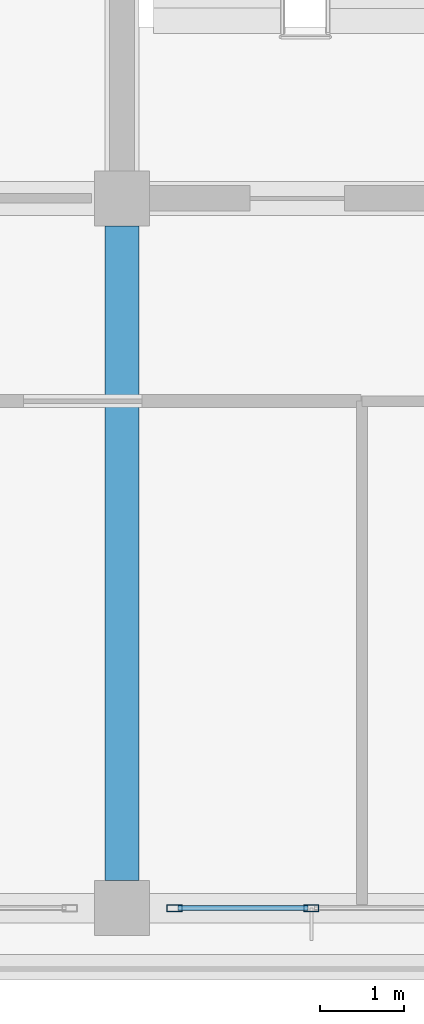
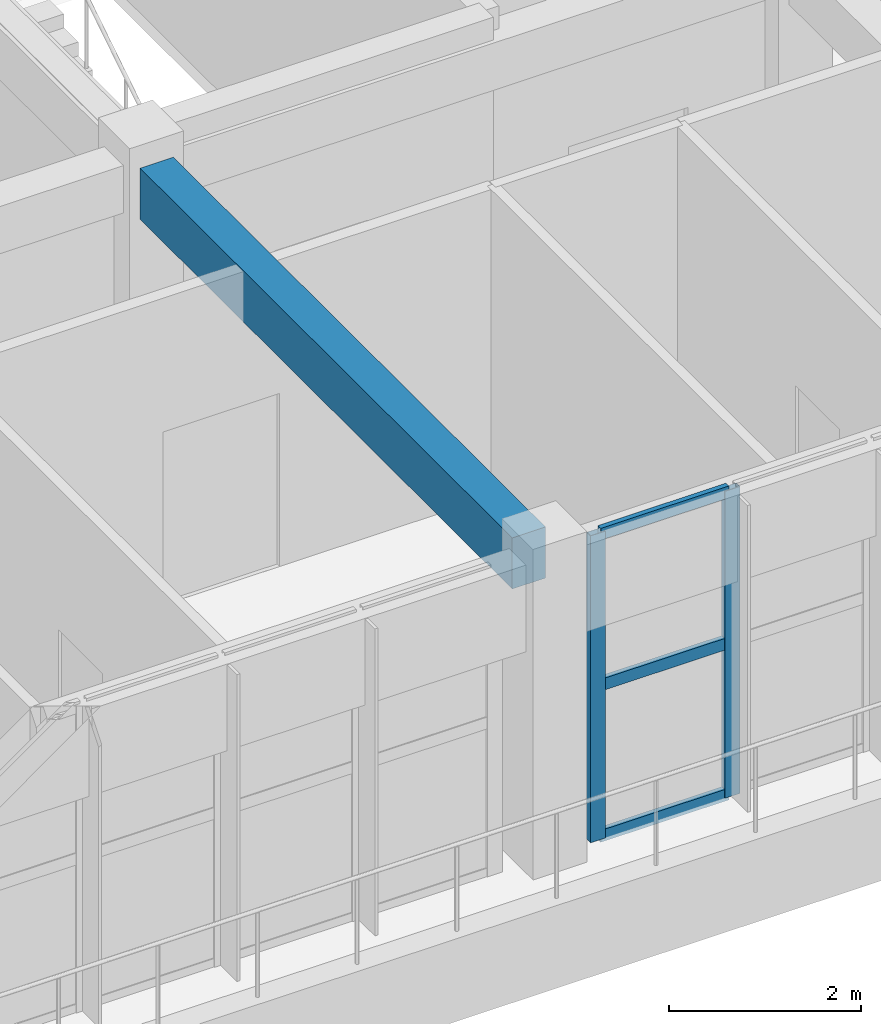
# One storey, part 13 of 57: 5 members, 1 beam, 1 element without a shape of its own.
"""IFC4 building model written with IfcOpenShell, lengths in metres."""

from ifc_helpers import new_model, si_unit, direction, frame, origin, origin_2d, place, context, subcontext, project, spatial, rectangle, hollow_rectangle, extrude, material, layer, layer_set, material_profile, profile_set, type_object, element, aggregate, save


model = new_model("IFC4")

# Units and contexts
model_context = context("Model", 3, precision=1e-05, world=origin(), true_north=direction((0.0, 1.0)))
body_context = subcontext(model_context, "Body", "Model", "MODEL_VIEW")
ifc_project = project(units=[si_unit("LENGTHUNIT", "METRE"), si_unit("AREAUNIT", "SQUARE_METRE"), si_unit("VOLUMEUNIT", "CUBIC_METRE"), si_unit("PLANEANGLEUNIT", "RADIAN"), si_unit("MASSUNIT", "GRAM", prefix="KILO")], contexts=[model_context])

# Site, building, storey
site_placement = place(None, origin())
site = spatial("IfcSite", under=ifc_project, at=site_placement, CompositionType="ELEMENT")
building_placement = place(site_placement, origin())
building = spatial("IfcBuilding", under=site, at=building_placement, Name="Zizhar Promenade General Hospital", CompositionType="ELEMENT")
storey_placement = place(building_placement, frame((0.0, 0.0, 22.199951171875)))
storey = spatial("IfcBuildingStorey", under=building, at=storey_placement, Name="L05", CompositionType="ELEMENT", Elevation=22.199951171875)

# Beam
ifc_material_1 = material(Name="Concrete C35/45", Category="concrete")
ifc_material_profile_1 = material_profile(ifc_material_1, rectangle(XDim=0.39990234375, YDim=0.64990234375, at=origin_2d()))
ifc_profile_set_1 = profile_set([ifc_material_profile_1], Name="Concrete C35/45")
beam_type = type_object("IfcBeamType", Name="BM-RC-400x650", PredefinedType="BEAM", material=ifc_profile_set_1)
beam_placement = place(storey_placement, frame((62.39990234375, 0.324951171875, 3.5849609375), z_axis=(0.0, 1.0, 0.0), x_axis=(-1.0, 0.0, 0.0)))
element("IfcBeam", 1, at=beam_placement, inside=storey, type_object=beam_type, Name="Grid Beam Y L05 (8-0)", PredefinedType="BEAM", context=body_context, shape_type="SweptSolid", body=[
    extrude(rectangle(XDim=0.39990234375, YDim=0.64990234375, at=origin_2d()), origin(), (0.0, 0.0, 1.0), 7.75),
])

# Curtain wall, members
ifc_material_2 = material(Name="Anodised aluminium 6063-T6 and low-E glass", Category="aluminium")
ifc_layer = layer(ifc_material_2, 0.159912109375)
ifc_layer_set = layer_set([ifc_layer], Name="Anodised aluminium 6063-T6 and low-E glass")
curtain_wall_type = type_object("IfcCurtainWallType", Name="CW-WARD-RIB", PredefinedType="NOTDEFINED", material=ifc_layer_set)
curtain_wall_placement = place(storey_placement, origin())
curtain_wall = element("IfcCurtainWall", 2, at=curtain_wall_placement, inside=storey, type_object=curtain_wall_type, Name="Ward Ribbon Curtain Wall L05-17-6", PredefinedType="NOTDEFINED")
ifc_material_3 = material(Name="Anodised aluminium 6063-T6", Category="aluminium")
ifc_material_profile_2 = material_profile(ifc_material_3, hollow_rectangle(XDim=0.080078125, YDim=0.179931640625, WallThickness=0.0048828125, at=origin_2d()))
ifc_profile_set_2 = profile_set([ifc_material_profile_2], Name="Anodised aluminium 6063-T6")
member_type_1 = type_object("IfcMemberType", Name="CWM-ALU-180x80", PredefinedType="MULLION", material=ifc_profile_set_2)
member_1_placement = place(storey_placement, frame((64.639892578125, 0.0, 0.0), z_axis=(0.0, 0.0, 1.0), x_axis=(0.0, -1.0, 0.0)))
member_1 = element("IfcMember", 3, at=member_1_placement, type_object=member_type_1, Name="CW-13 mullion 4", PredefinedType="MULLION", context=body_context, shape_type="SweptSolid", body=[
    extrude(hollow_rectangle(XDim=0.080078125, YDim=0.179931640625, WallThickness=0.0048828125, at=origin_2d()), origin(), (0.0, 0.0, 1.0), 3.900146484375),
])
member_2_placement = place(storey_placement, frame((63.02001953125, 0.0, 0.0), z_axis=(0.0, 0.0, 1.0), x_axis=(0.0, -1.0, 0.0)))
member_2 = element("IfcMember", 4, at=member_2_placement, type_object=member_type_1, Name="CW-13 mullion 5", PredefinedType="MULLION", context=body_context, shape_type="SweptSolid", body=[
    extrude(hollow_rectangle(XDim=0.080078125, YDim=0.179931640625, WallThickness=0.0048828125, at=origin_2d()), origin(), (0.0, 0.0, 1.0), 3.900146484375),
])
ifc_material_4 = material(Name="Anodised aluminium 6063-T6", Category="aluminium")
ifc_material_profile_3 = material_profile(ifc_material_4, hollow_rectangle(XDim=0.06005859375, YDim=0.14990234375, WallThickness=0.00390625, at=origin_2d()))
ifc_profile_set_3 = profile_set([ifc_material_profile_3], Name="Anodised aluminium 6063-T6")
member_type_2 = type_object("IfcMemberType", Name="CWT-ALU-150x60", PredefinedType="USERDEFINED", material=ifc_profile_set_3)
member_3_placement = place(storey_placement, frame((64.60009765625, 0.0, 0.030029296875), z_axis=(-1.0, 0.0, 0.0), x_axis=(0.0, -1.0, 0.0)))
member_3 = element("IfcMember", 5, at=member_3_placement, type_object=member_type_2, Name="CW-13 transom 4.1", ObjectType="TRANSOM", PredefinedType="USERDEFINED", context=body_context, shape_type="SweptSolid", body=[
    extrude(hollow_rectangle(XDim=0.06005859375, YDim=0.14990234375, WallThickness=0.00390625, at=origin_2d()), origin(), (0.0, 0.0, 1.0), 1.5400390625),
])
member_4_placement = place(storey_placement, frame((64.60009765625, 0.0, 1.949951171875), z_axis=(-1.0, 0.0, 0.0), x_axis=(0.0, -1.0, 0.0)))
member_4 = element("IfcMember", 6, at=member_4_placement, type_object=member_type_2, Name="CW-13 transom 4.2", ObjectType="TRANSOM", PredefinedType="USERDEFINED", context=body_context, shape_type="SweptSolid", body=[
    extrude(hollow_rectangle(XDim=0.06005859375, YDim=0.14990234375, WallThickness=0.00390625, at=origin_2d()), origin(), (0.0, 0.0, 1.0), 1.5400390625),
])
member_5_placement = place(storey_placement, frame((64.60009765625, 0.0, 3.8701171875), z_axis=(-1.0, 0.0, 0.0), x_axis=(0.0, -1.0, 0.0)))
member_5 = element("IfcMember", 7, at=member_5_placement, type_object=member_type_2, Name="CW-13 transom 4.3", ObjectType="TRANSOM", PredefinedType="USERDEFINED", context=body_context, shape_type="SweptSolid", body=[
    extrude(hollow_rectangle(XDim=0.06005859375, YDim=0.14990234375, WallThickness=0.00390625, at=origin_2d()), origin(), (0.0, 0.0, 1.0), 1.5400390625),
])
aggregate(curtain_wall, [member_1, member_2, member_3, member_4, member_5])

save(model, "model.ifc")
